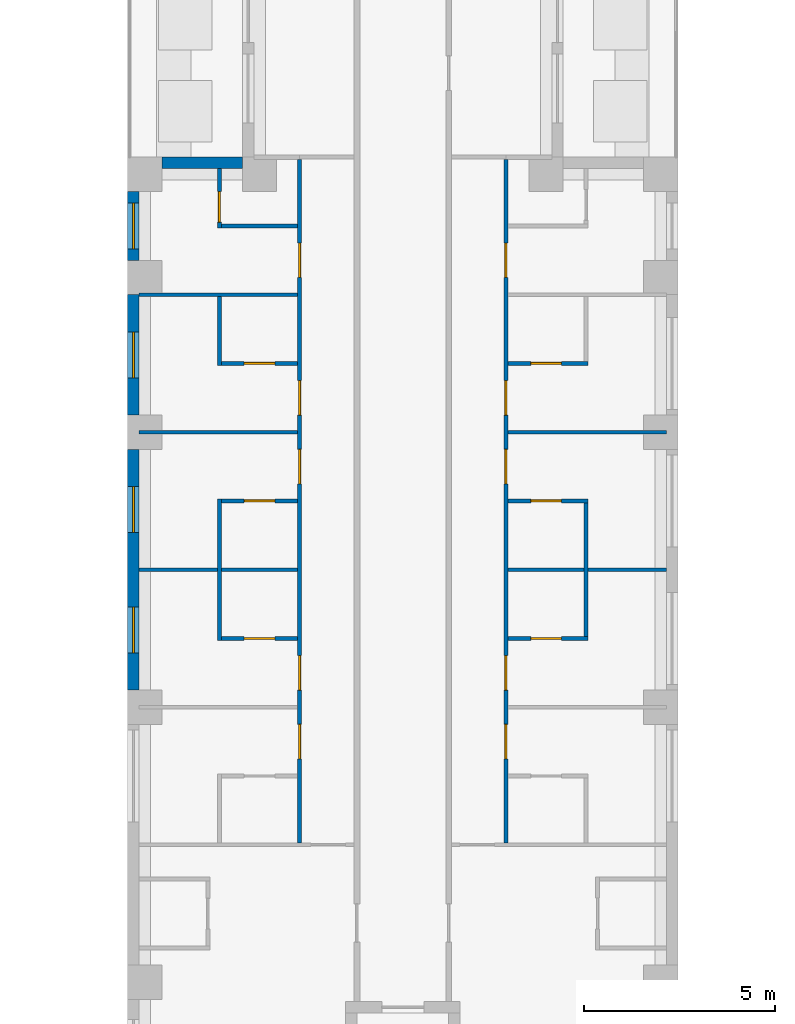
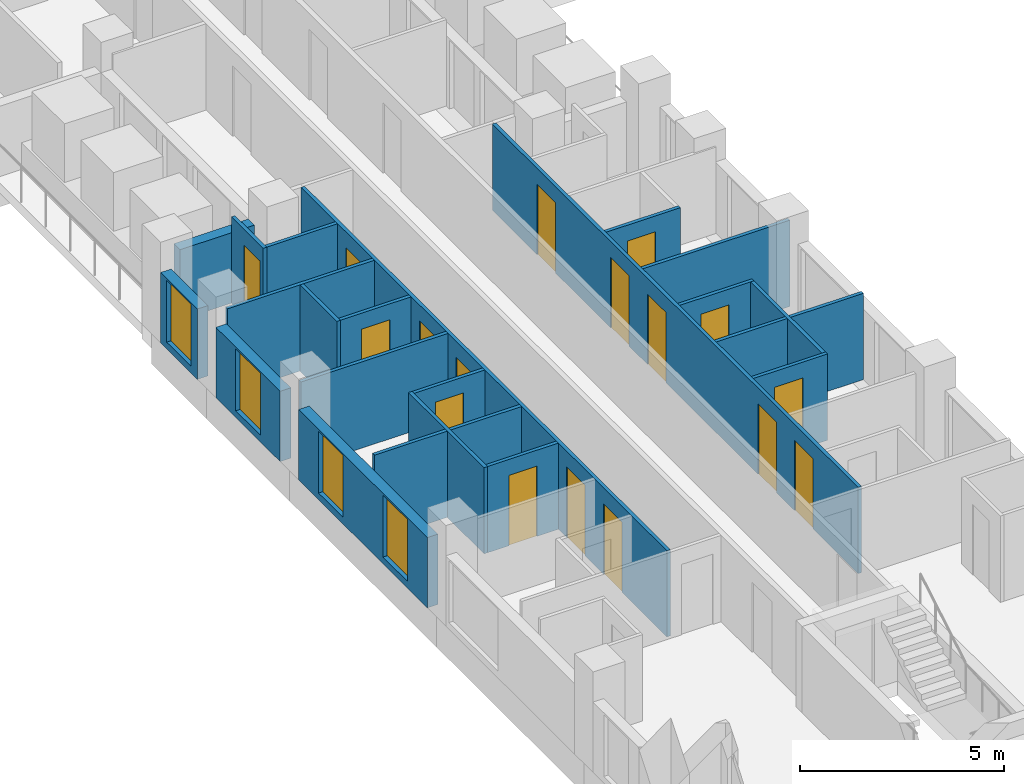
# One storey, part 4 of 14: 22 walls, 17 doors, 4 windows, 21 openings.
"""IFC4 building model written with IfcOpenShell, lengths in metres."""

from ifc_helpers import new_model, si_unit, direction, frame, frame_2d, origin, place, context, subcontext, project, spatial, rectangle, extrude, material, layer, layer_set, type_object, element, fill, save


model = new_model("IFC4")

# Units and contexts
model_context = context("Model", 3, precision=1e-05, world=origin(), true_north=direction((0.0, 1.0)))
body_context = subcontext(model_context, "Body", "Model", "MODEL_VIEW")
ifc_project = project(units=[si_unit("LENGTHUNIT", "METRE"), si_unit("AREAUNIT", "SQUARE_METRE"), si_unit("VOLUMEUNIT", "CUBIC_METRE"), si_unit("PLANEANGLEUNIT", "RADIAN"), si_unit("MASSUNIT", "GRAM", prefix="KILO")], contexts=[model_context])

# Site, building, storey
site_placement = place(None, origin())
site = spatial("IfcSite", under=ifc_project, at=site_placement, CompositionType="ELEMENT")
building_placement = place(site_placement, origin())
building = spatial("IfcBuilding", under=site, at=building_placement, Name="Fustian Cross Tower", CompositionType="ELEMENT")
storey_placement = place(building_placement, frame((0.0, 0.0, 93.89990234375)))
storey = spatial("IfcBuildingStorey", under=building, at=storey_placement, Name="L29", CompositionType="ELEMENT", Elevation=93.89990234375)

# Walls
ifc_material_1 = material(Name="Plasterboard on steel stud", Category="steel")
ifc_layer_1 = layer(ifc_material_1, 0.10009765625)
ifc_layer_set_1 = layer_set([ifc_layer_1], Name="Plasterboard on steel stud")
wall_type_1 = type_object("IfcWallType", Name="PARTITION 100 STUD", PredefinedType="PARTITIONING", material=ifc_layer_set_1)
for number, where, z_axis, x_axis, name in (
    (1, (-6.89990234375, -25.199951171875, 0.0), (0.0, 0.0, 1.0), (1.0, 0.0, 0.0), "Partition 19"),
    (2, (-6.89990234375, -21.60009765625, 0.0), (0.0, 0.0, 1.0), (1.0, 0.0, 0.0), "Partition 20"),
    (3, (-6.89990234375, -18.0, 0.0), (0.0, 0.0, 1.0), (1.0, 0.0, 0.0), "Partition 21"),
):
    element("IfcWall", number, at=place(storey_placement, frame(where, z_axis=z_axis, x_axis=x_axis)), inside=storey, type_object=wall_type_1, Name=name, PredefinedType="PARTITIONING", context=body_context, shape_type="SweptSolid", body=[
        extrude(rectangle(XDim=4.14990234375, YDim=0.10009765625, at=frame_2d((2.074951171875, 0.0))), origin(), (0.0, 0.0, 1.0), 2.5751953125),
    ])
wall_1_placement = place(storey_placement, frame((-4.800048828125, -27.050048828125, 0.0), z_axis=(0.0, 0.0, 1.0), x_axis=(0.0, 1.0, 0.0)))
element("IfcWall", 4, at=wall_1_placement, inside=storey, type_object=wall_type_1, Name="Partition 26", PredefinedType="PARTITIONING", context=body_context, shape_type="SweptSolid", body=[
    extrude(rectangle(XDim=3.699951171875, YDim=0.10009765625, at=frame_2d((1.85009765625, 0.0))), origin(), (0.0, 0.0, 1.0), 2.5751953125),
])

# Wall, opening, door
wall_2_placement = place(storey_placement, frame((-4.75, -27.0, 0.0), z_axis=(0.0, 0.0, 1.0), x_axis=(1.0, 0.0, 0.0)))
wall_2 = element("IfcWall", 5, at=wall_2_placement, inside=storey, type_object=wall_type_1, Name="Partition 27", PredefinedType="PARTITIONING", context=body_context, shape_type="SweptSolid", body=[
    extrude(rectangle(XDim=2.0, YDim=0.10009765625, at=frame_2d((1.0, 0.0))), origin(), (0.0, 0.0, 1.0), 2.5751953125),
])
opening_1_placement = place(wall_2_placement, frame((0.60009765625, 0.0, 0.0)))
opening_1 = element("IfcOpeningElement", 6, at=opening_1_placement, cuts=wall_2, Name="Opening D14062", PredefinedType="OPENING", context=body_context, shape_type="SweptSolid", body=[
    extrude(rectangle(XDim=0.800048828125, YDim=2.10009765625, at=frame_2d((0.39990234375, 1.050048828125))), frame((0.0, 0.06005859375, 0.0), z_axis=(0.0, -1.0, 0.0), x_axis=(1.0, 0.0, 0.0)), (0.0, 0.0, 1.0), 0.1201171875),
])
ifc_material_2 = material(Name="Painted timber", Category="wood")
door_type_1 = type_object("IfcDoorType", Name="SWING DOOR 800", OperationType="SINGLE_SWING_LEFT", PredefinedType="DOOR", material=ifc_material_2)
door_1_placement = place(opening_1_placement, origin())
door_1 = element("IfcDoor", 7, at=door_1_placement, inside=storey, type_object=door_type_1, Name="Door D14062", OperationType="SINGLE_SWING_LEFT", OverallHeight=2.10009765625, OverallWidth=0.800048828125, PredefinedType="DOOR", context=body_context, shape_type="SweptSolid", body=[
    extrude(rectangle(XDim=0.800048828125, YDim=2.10009765625, at=frame_2d((0.39990234375, 1.050048828125))), frame((0.0, 0.02490234375, 0.0), z_axis=(0.0, -1.0, 0.0), x_axis=(1.0, 0.0, 0.0)), (0.0, 0.0, 1.0), 0.050048828125),
])
fill(opening_1, door_1)

wall_3_placement = place(storey_placement, frame((-4.75, -23.39990234375, 0.0), z_axis=(0.0, 0.0, 1.0), x_axis=(1.0, 0.0, 0.0)))
wall_3 = element("IfcWall", 8, at=wall_3_placement, inside=storey, type_object=wall_type_1, Name="Partition 28", PredefinedType="PARTITIONING", context=body_context, shape_type="SweptSolid", body=[
    extrude(rectangle(XDim=2.0, YDim=0.10009765625, at=frame_2d((1.0, 0.0))), origin(), (0.0, 0.0, 1.0), 2.5751953125),
])
opening_2_placement = place(wall_3_placement, frame((0.60009765625, 0.0, 0.0)))
opening_2 = element("IfcOpeningElement", 9, at=opening_2_placement, cuts=wall_3, Name="Opening D14061", PredefinedType="OPENING", context=body_context, shape_type="SweptSolid", body=[
    extrude(rectangle(XDim=0.800048828125, YDim=2.10009765625, at=frame_2d((0.39990234375, 1.050048828125))), frame((0.0, 0.06005859375, 0.0), z_axis=(0.0, -1.0, 0.0), x_axis=(1.0, 0.0, 0.0)), (0.0, 0.0, 1.0), 0.1201171875),
])
door_2_placement = place(opening_2_placement, frame((0.800048828125, 0.0, 0.0), z_axis=(0.0, 0.0, 1.0), x_axis=(-1.0, 0.0, 0.0)))
door_2 = element("IfcDoor", 10, at=door_2_placement, inside=storey, type_object=door_type_1, Name="Door D14061", OperationType="SINGLE_SWING_RIGHT", OverallHeight=2.10009765625, OverallWidth=0.800048828125, PredefinedType="DOOR", context=body_context, shape_type="SweptSolid", body=[
    extrude(rectangle(XDim=0.800048828125, YDim=2.10009765625, at=frame_2d((0.39990234375, 1.050048828125))), frame((0.0, 0.02490234375, 0.0), z_axis=(0.0, -1.0, 0.0), x_axis=(1.0, 0.0, 0.0)), (0.0, 0.0, 1.0), 0.050048828125),
])
fill(opening_2, door_2)

# Wall
wall_4_placement = place(storey_placement, frame((-4.800048828125, -19.85009765625, 0.0), z_axis=(0.0, 0.0, 1.0), x_axis=(0.0, 1.0, 0.0)))
element("IfcWall", 11, at=wall_4_placement, inside=storey, type_object=wall_type_1, Name="Partition 29", PredefinedType="PARTITIONING", context=body_context, shape_type="SweptSolid", body=[
    extrude(rectangle(XDim=1.800048828125, YDim=0.10009765625, at=frame_2d((0.89990234375, 0.0))), origin(), (0.0, 0.0, 1.0), 2.5751953125),
])

# Wall, opening, door
wall_5_placement = place(storey_placement, frame((-4.75, -19.800048828125, 0.0), z_axis=(0.0, 0.0, 1.0), x_axis=(1.0, 0.0, 0.0)))
wall_5 = element("IfcWall", 12, at=wall_5_placement, inside=storey, type_object=wall_type_1, Name="Partition 30", PredefinedType="PARTITIONING", context=body_context, shape_type="SweptSolid", body=[
    extrude(rectangle(XDim=2.0, YDim=0.10009765625, at=frame_2d((1.0, 0.0))), origin(), (0.0, 0.0, 1.0), 2.5751953125),
])
opening_3_placement = place(wall_5_placement, frame((0.60009765625, 0.0, 0.0)))
opening_3 = element("IfcOpeningElement", 13, at=opening_3_placement, cuts=wall_5, Name="Opening D14060", PredefinedType="OPENING", context=body_context, shape_type="SweptSolid", body=[
    extrude(rectangle(XDim=0.800048828125, YDim=2.10009765625, at=frame_2d((0.39990234375, 1.050048828125))), frame((0.0, 0.06005859375, 0.0), z_axis=(0.0, -1.0, 0.0), x_axis=(1.0, 0.0, 0.0)), (0.0, 0.0, 1.0), 0.1201171875),
])
door_3_placement = place(opening_3_placement, origin())
door_3 = element("IfcDoor", 14, at=door_3_placement, inside=storey, type_object=door_type_1, Name="Door D14060", OperationType="SINGLE_SWING_LEFT", OverallHeight=2.10009765625, OverallWidth=0.800048828125, PredefinedType="DOOR", context=body_context, shape_type="SweptSolid", body=[
    extrude(rectangle(XDim=0.800048828125, YDim=2.10009765625, at=frame_2d((0.39990234375, 1.050048828125))), frame((0.0, 0.02490234375, 0.0), z_axis=(0.0, -1.0, 0.0), x_axis=(1.0, 0.0, 0.0)), (0.0, 0.0, 1.0), 0.050048828125),
])
fill(opening_3, door_3)

wall_6_placement = place(storey_placement, frame((-4.800048828125, -16.25, 0.0), z_axis=(0.0, 0.0, 1.0), x_axis=(0.0, 1.0, 0.0)))
wall_6 = element("IfcWall", 15, at=wall_6_placement, inside=storey, type_object=wall_type_1, Name="Partition 31", PredefinedType="PARTITIONING", context=body_context, shape_type="SweptSolid", body=[
    extrude(rectangle(XDim=1.550048828125, YDim=0.10009765625, at=frame_2d((0.77490234375, 0.0))), origin(), (0.0, 0.0, 1.0), 2.5751953125),
])
opening_4_placement = place(wall_6_placement, frame((0.14990234375, 0.0, 0.0)))
opening_4 = element("IfcOpeningElement", 16, at=opening_4_placement, cuts=wall_6, Name="Opening D14059", PredefinedType="OPENING", context=body_context, shape_type="SweptSolid", body=[
    extrude(rectangle(XDim=0.800048828125, YDim=2.10009765625, at=frame_2d((0.39990234375, 1.050048828125))), frame((0.0, 0.06005859375, 0.0), z_axis=(0.0, -1.0, 0.0), x_axis=(1.0, 0.0, 0.0)), (0.0, 0.0, 1.0), 0.1201171875),
])
door_4_placement = place(opening_4_placement, frame((0.800048828125, 0.0, 0.0), z_axis=(0.0, 0.0, 1.0), x_axis=(-1.0, 0.0, 0.0)))
door_4 = element("IfcDoor", 17, at=door_4_placement, inside=storey, type_object=door_type_1, Name="Door D14059", OperationType="SINGLE_SWING_RIGHT", OverallHeight=2.10009765625, OverallWidth=0.800048828125, PredefinedType="DOOR", context=body_context, shape_type="SweptSolid", body=[
    extrude(rectangle(XDim=0.800048828125, YDim=2.10009765625, at=frame_2d((0.39990234375, 1.050048828125))), frame((0.0, 0.02490234375, 0.0), z_axis=(0.0, -1.0, 0.0), x_axis=(1.0, 0.0, 0.0)), (0.0, 0.0, 1.0), 0.050048828125),
])
fill(opening_4, door_4)

# Wall
wall_7_placement = place(storey_placement, frame((-4.75, -16.199951171875, 0.0), z_axis=(0.0, 0.0, 1.0), x_axis=(1.0, 0.0, 0.0)))
element("IfcWall", 18, at=wall_7_placement, inside=storey, type_object=wall_type_1, Name="Partition 32", PredefinedType="PARTITIONING", context=body_context, shape_type="SweptSolid", body=[
    extrude(rectangle(XDim=2.0, YDim=0.10009765625, at=frame_2d((1.0, 0.0))), origin(), (0.0, 0.0, 1.0), 2.5751953125),
])

# Wall, openings, doors
wall_8_placement = place(storey_placement, frame((-2.699951171875, -32.35009765625, 0.0), z_axis=(0.0, 0.0, 1.0), x_axis=(0.0, 1.0, 0.0)))
wall_8 = element("IfcWall", 19, at=wall_8_placement, inside=storey, type_object=wall_type_1, Name="Partition 39", PredefinedType="PARTITIONING", context=body_context, shape_type="SweptSolid", body=[
    extrude(rectangle(XDim=17.8876953125, YDim=0.10009765625, at=frame_2d((8.94384765625, 0.0))), origin(), (0.0, 0.0, 1.0), 2.5751953125),
])
opening_5_placement = place(wall_8_placement, frame((2.199951171875, 0.0, 0.0)))
opening_5 = element("IfcOpeningElement", 20, at=opening_5_placement, cuts=wall_8, Name="Opening D14053", PredefinedType="OPENING", context=body_context, shape_type="SweptSolid", body=[
    extrude(rectangle(XDim=0.89990234375, YDim=2.10009765625, at=frame_2d((0.449951171875, 1.050048828125))), frame((0.0, 0.06005859375, 0.0), z_axis=(0.0, -1.0, 0.0), x_axis=(1.0, 0.0, 0.0)), (0.0, 0.0, 1.0), 0.1201171875),
])
opening_6_placement = place(wall_8_placement, frame((4.0, 0.0, 0.0)))
opening_6 = element("IfcOpeningElement", 21, at=opening_6_placement, cuts=wall_8, Name="Opening D14054", PredefinedType="OPENING", context=body_context, shape_type="SweptSolid", body=[
    extrude(rectangle(XDim=0.89990234375, YDim=2.10009765625, at=frame_2d((0.449951171875, 1.050048828125))), frame((0.0, 0.06005859375, 0.0), z_axis=(0.0, -1.0, 0.0), x_axis=(1.0, 0.0, 0.0)), (0.0, 0.0, 1.0), 0.1201171875),
])
opening_7_placement = place(wall_8_placement, frame((9.39990234375, 0.0, 0.0)))
opening_7 = element("IfcOpeningElement", 22, at=opening_7_placement, cuts=wall_8, Name="Opening D14055", PredefinedType="OPENING", context=body_context, shape_type="SweptSolid", body=[
    extrude(rectangle(XDim=0.89990234375, YDim=2.10009765625, at=frame_2d((0.449951171875, 1.050048828125))), frame((0.0, 0.06005859375, 0.0), z_axis=(0.0, -1.0, 0.0), x_axis=(1.0, 0.0, 0.0)), (0.0, 0.0, 1.0), 0.1201171875),
])
opening_8_placement = place(wall_8_placement, frame((11.199951171875, 0.0, 0.0)))
opening_8 = element("IfcOpeningElement", 23, at=opening_8_placement, cuts=wall_8, Name="Opening D14056", PredefinedType="OPENING", context=body_context, shape_type="SweptSolid", body=[
    extrude(rectangle(XDim=0.89990234375, YDim=2.10009765625, at=frame_2d((0.449951171875, 1.050048828125))), frame((0.0, 0.06005859375, 0.0), z_axis=(0.0, -1.0, 0.0), x_axis=(1.0, 0.0, 0.0)), (0.0, 0.0, 1.0), 0.1201171875),
])
opening_9_placement = place(wall_8_placement, frame((14.800048828125, 0.0, 0.0)))
opening_9 = element("IfcOpeningElement", 24, at=opening_9_placement, cuts=wall_8, Name="Opening D14057", PredefinedType="OPENING", context=body_context, shape_type="SweptSolid", body=[
    extrude(rectangle(XDim=0.89990234375, YDim=2.10009765625, at=frame_2d((0.449951171875, 1.050048828125))), frame((0.0, 0.06005859375, 0.0), z_axis=(0.0, -1.0, 0.0), x_axis=(1.0, 0.0, 0.0)), (0.0, 0.0, 1.0), 0.1201171875),
])
ifc_material_3 = material(Name="Painted timber", Category="wood")
door_type_2 = type_object("IfcDoorType", Name="SWING DOOR 900", OperationType="SINGLE_SWING_LEFT", PredefinedType="DOOR", material=ifc_material_3)
door_5_placement = place(opening_5_placement, origin())
door_5 = element("IfcDoor", 25, at=door_5_placement, inside=storey, type_object=door_type_2, Name="Door D14053", OperationType="SINGLE_SWING_LEFT", OverallHeight=2.10009765625, OverallWidth=0.89990234375, PredefinedType="DOOR", context=body_context, shape_type="SweptSolid", body=[
    extrude(rectangle(XDim=0.89990234375, YDim=2.10009765625, at=frame_2d((0.449951171875, 1.050048828125))), frame((0.0, 0.02490234375, 0.0), z_axis=(0.0, -1.0, 0.0), x_axis=(1.0, 0.0, 0.0)), (0.0, 0.0, 1.0), 0.050048828125),
])
fill(opening_5, door_5)
door_6_placement = place(opening_6_placement, origin())
door_6 = element("IfcDoor", 26, at=door_6_placement, inside=storey, type_object=door_type_2, Name="Door D14054", OperationType="SINGLE_SWING_LEFT", OverallHeight=2.10009765625, OverallWidth=0.89990234375, PredefinedType="DOOR", context=body_context, shape_type="SweptSolid", body=[
    extrude(rectangle(XDim=0.89990234375, YDim=2.10009765625, at=frame_2d((0.449951171875, 1.050048828125))), frame((0.0, 0.02490234375, 0.0), z_axis=(0.0, -1.0, 0.0), x_axis=(1.0, 0.0, 0.0)), (0.0, 0.0, 1.0), 0.050048828125),
])
fill(opening_6, door_6)
door_7_placement = place(opening_7_placement, origin())
door_7 = element("IfcDoor", 27, at=door_7_placement, inside=storey, type_object=door_type_2, Name="Door D14055", OperationType="SINGLE_SWING_LEFT", OverallHeight=2.10009765625, OverallWidth=0.89990234375, PredefinedType="DOOR", context=body_context, shape_type="SweptSolid", body=[
    extrude(rectangle(XDim=0.89990234375, YDim=2.10009765625, at=frame_2d((0.449951171875, 1.050048828125))), frame((0.0, 0.02490234375, 0.0), z_axis=(0.0, -1.0, 0.0), x_axis=(1.0, 0.0, 0.0)), (0.0, 0.0, 1.0), 0.050048828125),
])
fill(opening_7, door_7)
door_8_placement = place(opening_8_placement, origin())
door_8 = element("IfcDoor", 28, at=door_8_placement, inside=storey, type_object=door_type_2, Name="Door D14056", OperationType="SINGLE_SWING_LEFT", OverallHeight=2.10009765625, OverallWidth=0.89990234375, PredefinedType="DOOR", context=body_context, shape_type="SweptSolid", body=[
    extrude(rectangle(XDim=0.89990234375, YDim=2.10009765625, at=frame_2d((0.449951171875, 1.050048828125))), frame((0.0, 0.02490234375, 0.0), z_axis=(0.0, -1.0, 0.0), x_axis=(1.0, 0.0, 0.0)), (0.0, 0.0, 1.0), 0.050048828125),
])
fill(opening_8, door_8)
door_9_placement = place(opening_9_placement, origin())
door_9 = element("IfcDoor", 29, at=door_9_placement, inside=storey, type_object=door_type_2, Name="Door D14057", OperationType="SINGLE_SWING_LEFT", OverallHeight=2.10009765625, OverallWidth=0.89990234375, PredefinedType="DOOR", context=body_context, shape_type="SweptSolid", body=[
    extrude(rectangle(XDim=0.89990234375, YDim=2.10009765625, at=frame_2d((0.449951171875, 1.050048828125))), frame((0.0, 0.02490234375, 0.0), z_axis=(0.0, -1.0, 0.0), x_axis=(1.0, 0.0, 0.0)), (0.0, 0.0, 1.0), 0.050048828125),
])
fill(opening_9, door_9)

wall_9_placement = place(storey_placement, frame((2.699951171875, -32.35009765625, 0.0), z_axis=(0.0, 0.0, 1.0), x_axis=(0.0, 1.0, 0.0)))
wall_9 = element("IfcWall", 30, at=wall_9_placement, inside=storey, type_object=wall_type_1, Name="Partition 56", PredefinedType="PARTITIONING", context=body_context, shape_type="SweptSolid", body=[
    extrude(rectangle(XDim=17.8876953125, YDim=0.10009765625, at=frame_2d((8.94384765625, 0.0))), origin(), (0.0, 0.0, 1.0), 2.5751953125),
])
opening_10_placement = place(wall_9_placement, frame((2.199951171875, 0.0, 0.0)))
opening_10 = element("IfcOpeningElement", 31, at=opening_10_placement, cuts=wall_9, Name="Opening D14040", PredefinedType="OPENING", context=body_context, shape_type="SweptSolid", body=[
    extrude(rectangle(XDim=0.89990234375, YDim=2.10009765625, at=frame_2d((0.449951171875, 1.050048828125))), frame((0.0, 0.06005859375, 0.0), z_axis=(0.0, -1.0, 0.0), x_axis=(1.0, 0.0, 0.0)), (0.0, 0.0, 1.0), 0.1201171875),
])
opening_11_placement = place(wall_9_placement, frame((4.0, 0.0, 0.0)))
opening_11 = element("IfcOpeningElement", 32, at=opening_11_placement, cuts=wall_9, Name="Opening D14041", PredefinedType="OPENING", context=body_context, shape_type="SweptSolid", body=[
    extrude(rectangle(XDim=0.89990234375, YDim=2.10009765625, at=frame_2d((0.449951171875, 1.050048828125))), frame((0.0, 0.06005859375, 0.0), z_axis=(0.0, -1.0, 0.0), x_axis=(1.0, 0.0, 0.0)), (0.0, 0.0, 1.0), 0.1201171875),
])
opening_12_placement = place(wall_9_placement, frame((9.39990234375, 0.0, 0.0)))
opening_12 = element("IfcOpeningElement", 33, at=opening_12_placement, cuts=wall_9, Name="Opening D14042", PredefinedType="OPENING", context=body_context, shape_type="SweptSolid", body=[
    extrude(rectangle(XDim=0.89990234375, YDim=2.10009765625, at=frame_2d((0.449951171875, 1.050048828125))), frame((0.0, 0.06005859375, 0.0), z_axis=(0.0, -1.0, 0.0), x_axis=(1.0, 0.0, 0.0)), (0.0, 0.0, 1.0), 0.1201171875),
])
opening_13_placement = place(wall_9_placement, frame((11.199951171875, 0.0, 0.0)))
opening_13 = element("IfcOpeningElement", 34, at=opening_13_placement, cuts=wall_9, Name="Opening D14043", PredefinedType="OPENING", context=body_context, shape_type="SweptSolid", body=[
    extrude(rectangle(XDim=0.89990234375, YDim=2.10009765625, at=frame_2d((0.449951171875, 1.050048828125))), frame((0.0, 0.06005859375, 0.0), z_axis=(0.0, -1.0, 0.0), x_axis=(1.0, 0.0, 0.0)), (0.0, 0.0, 1.0), 0.1201171875),
])
opening_14_placement = place(wall_9_placement, frame((14.800048828125, 0.0, 0.0)))
opening_14 = element("IfcOpeningElement", 35, at=opening_14_placement, cuts=wall_9, Name="Opening D14044", PredefinedType="OPENING", context=body_context, shape_type="SweptSolid", body=[
    extrude(rectangle(XDim=0.89990234375, YDim=2.10009765625, at=frame_2d((0.449951171875, 1.050048828125))), frame((0.0, 0.06005859375, 0.0), z_axis=(0.0, -1.0, 0.0), x_axis=(1.0, 0.0, 0.0)), (0.0, 0.0, 1.0), 0.1201171875),
])
door_10_placement = place(opening_10_placement, frame((0.89990234375, 0.0, 0.0), z_axis=(0.0, 0.0, 1.0), x_axis=(-1.0, 0.0, 0.0)))
door_10 = element("IfcDoor", 36, at=door_10_placement, inside=storey, type_object=door_type_2, Name="Door D14040", OperationType="SINGLE_SWING_RIGHT", OverallHeight=2.10009765625, OverallWidth=0.89990234375, PredefinedType="DOOR", context=body_context, shape_type="SweptSolid", body=[
    extrude(rectangle(XDim=0.89990234375, YDim=2.10009765625, at=frame_2d((0.449951171875, 1.050048828125))), frame((0.0, 0.02490234375, 0.0), z_axis=(0.0, -1.0, 0.0), x_axis=(1.0, 0.0, 0.0)), (0.0, 0.0, 1.0), 0.050048828125),
])
fill(opening_10, door_10)
door_11_placement = place(opening_11_placement, frame((0.89990234375, 0.0, 0.0), z_axis=(0.0, 0.0, 1.0), x_axis=(-1.0, 0.0, 0.0)))
door_11 = element("IfcDoor", 37, at=door_11_placement, inside=storey, type_object=door_type_2, Name="Door D14041", OperationType="SINGLE_SWING_RIGHT", OverallHeight=2.10009765625, OverallWidth=0.89990234375, PredefinedType="DOOR", context=body_context, shape_type="SweptSolid", body=[
    extrude(rectangle(XDim=0.89990234375, YDim=2.10009765625, at=frame_2d((0.449951171875, 1.050048828125))), frame((0.0, 0.02490234375, 0.0), z_axis=(0.0, -1.0, 0.0), x_axis=(1.0, 0.0, 0.0)), (0.0, 0.0, 1.0), 0.050048828125),
])
fill(opening_11, door_11)
door_12_placement = place(opening_12_placement, frame((0.89990234375, 0.0, 0.0), z_axis=(0.0, 0.0, 1.0), x_axis=(-1.0, 0.0, 0.0)))
door_12 = element("IfcDoor", 38, at=door_12_placement, inside=storey, type_object=door_type_2, Name="Door D14042", OperationType="SINGLE_SWING_RIGHT", OverallHeight=2.10009765625, OverallWidth=0.89990234375, PredefinedType="DOOR", context=body_context, shape_type="SweptSolid", body=[
    extrude(rectangle(XDim=0.89990234375, YDim=2.10009765625, at=frame_2d((0.449951171875, 1.050048828125))), frame((0.0, 0.02490234375, 0.0), z_axis=(0.0, -1.0, 0.0), x_axis=(1.0, 0.0, 0.0)), (0.0, 0.0, 1.0), 0.050048828125),
])
fill(opening_12, door_12)
door_13_placement = place(opening_13_placement, frame((0.89990234375, 0.0, 0.0), z_axis=(0.0, 0.0, 1.0), x_axis=(-1.0, 0.0, 0.0)))
door_13 = element("IfcDoor", 39, at=door_13_placement, inside=storey, type_object=door_type_2, Name="Door D14043", OperationType="SINGLE_SWING_RIGHT", OverallHeight=2.10009765625, OverallWidth=0.89990234375, PredefinedType="DOOR", context=body_context, shape_type="SweptSolid", body=[
    extrude(rectangle(XDim=0.89990234375, YDim=2.10009765625, at=frame_2d((0.449951171875, 1.050048828125))), frame((0.0, 0.02490234375, 0.0), z_axis=(0.0, -1.0, 0.0), x_axis=(1.0, 0.0, 0.0)), (0.0, 0.0, 1.0), 0.050048828125),
])
fill(opening_13, door_13)
door_14_placement = place(opening_14_placement, frame((0.89990234375, 0.0, 0.0), z_axis=(0.0, 0.0, 1.0), x_axis=(-1.0, 0.0, 0.0)))
door_14 = element("IfcDoor", 40, at=door_14_placement, inside=storey, type_object=door_type_2, Name="Door D14044", OperationType="SINGLE_SWING_RIGHT", OverallHeight=2.10009765625, OverallWidth=0.89990234375, PredefinedType="DOOR", context=body_context, shape_type="SweptSolid", body=[
    extrude(rectangle(XDim=0.89990234375, YDim=2.10009765625, at=frame_2d((0.449951171875, 1.050048828125))), frame((0.0, 0.02490234375, 0.0), z_axis=(0.0, -1.0, 0.0), x_axis=(1.0, 0.0, 0.0)), (0.0, 0.0, 1.0), 0.050048828125),
])
fill(opening_14, door_14)

# Wall, opening, door
wall_10_placement = place(storey_placement, frame((2.75, -27.0, 0.0), z_axis=(0.0, 0.0, 1.0), x_axis=(1.0, 0.0, 0.0)))
wall_10 = element("IfcWall", 41, at=wall_10_placement, inside=storey, type_object=wall_type_1, Name="Partition 59", PredefinedType="PARTITIONING", context=body_context, shape_type="SweptSolid", body=[
    extrude(rectangle(XDim=2.10009765625, YDim=0.10009765625, at=frame_2d((1.050048828125, 0.0))), origin(), (0.0, 0.0, 1.0), 2.5751953125),
])
opening_15_placement = place(wall_10_placement, frame((0.60009765625, 0.0, 0.0)))
opening_15 = element("IfcOpeningElement", 42, at=opening_15_placement, cuts=wall_10, Name="Opening D14048", PredefinedType="OPENING", context=body_context, shape_type="SweptSolid", body=[
    extrude(rectangle(XDim=0.800048828125, YDim=2.10009765625, at=frame_2d((0.39990234375, 1.050048828125))), frame((0.0, 0.06005859375, 0.0), z_axis=(0.0, -1.0, 0.0), x_axis=(1.0, 0.0, 0.0)), (0.0, 0.0, 1.0), 0.1201171875),
])
door_15_placement = place(opening_15_placement, origin())
door_15 = element("IfcDoor", 43, at=door_15_placement, inside=storey, type_object=door_type_1, Name="Door D14048", OperationType="SINGLE_SWING_LEFT", OverallHeight=2.10009765625, OverallWidth=0.800048828125, PredefinedType="DOOR", context=body_context, shape_type="SweptSolid", body=[
    extrude(rectangle(XDim=0.800048828125, YDim=2.10009765625, at=frame_2d((0.39990234375, 1.050048828125))), frame((0.0, 0.02490234375, 0.0), z_axis=(0.0, -1.0, 0.0), x_axis=(1.0, 0.0, 0.0)), (0.0, 0.0, 1.0), 0.050048828125),
])
fill(opening_15, door_15)

# Wall
wall_11_placement = place(storey_placement, frame((2.75, -25.199951171875, 0.0), z_axis=(0.0, 0.0, 1.0), x_axis=(1.0, 0.0, 0.0)))
element("IfcWall", 44, at=wall_11_placement, inside=storey, type_object=wall_type_1, Name="Partition 60", PredefinedType="PARTITIONING", context=body_context, shape_type="SweptSolid", body=[
    extrude(rectangle(XDim=4.14990234375, YDim=0.10009765625, at=frame_2d((2.074951171875, 0.0))), origin(), (0.0, 0.0, 1.0), 2.5751953125),
])

# Wall, opening, door
wall_12_placement = place(storey_placement, frame((2.75, -23.39990234375, 0.0), z_axis=(0.0, 0.0, 1.0), x_axis=(1.0, 0.0, 0.0)))
wall_12 = element("IfcWall", 45, at=wall_12_placement, inside=storey, type_object=wall_type_1, Name="Partition 61", PredefinedType="PARTITIONING", context=body_context, shape_type="SweptSolid", body=[
    extrude(rectangle(XDim=2.10009765625, YDim=0.10009765625, at=frame_2d((1.050048828125, 0.0))), origin(), (0.0, 0.0, 1.0), 2.5751953125),
])
opening_16_placement = place(wall_12_placement, frame((0.60009765625, 0.0, 0.0)))
opening_16 = element("IfcOpeningElement", 46, at=opening_16_placement, cuts=wall_12, Name="Opening D14047", PredefinedType="OPENING", context=body_context, shape_type="SweptSolid", body=[
    extrude(rectangle(XDim=0.800048828125, YDim=2.10009765625, at=frame_2d((0.39990234375, 1.050048828125))), frame((0.0, 0.06005859375, 0.0), z_axis=(0.0, -1.0, 0.0), x_axis=(1.0, 0.0, 0.0)), (0.0, 0.0, 1.0), 0.1201171875),
])
door_16_placement = place(opening_16_placement, frame((0.800048828125, 0.0, 0.0), z_axis=(0.0, 0.0, 1.0), x_axis=(-1.0, 0.0, 0.0)))
door_16 = element("IfcDoor", 47, at=door_16_placement, inside=storey, type_object=door_type_1, Name="Door D14047", OperationType="SINGLE_SWING_RIGHT", OverallHeight=2.10009765625, OverallWidth=0.800048828125, PredefinedType="DOOR", context=body_context, shape_type="SweptSolid", body=[
    extrude(rectangle(XDim=0.800048828125, YDim=2.10009765625, at=frame_2d((0.39990234375, 1.050048828125))), frame((0.0, 0.02490234375, 0.0), z_axis=(0.0, -1.0, 0.0), x_axis=(1.0, 0.0, 0.0)), (0.0, 0.0, 1.0), 0.050048828125),
])
fill(opening_16, door_16)

# Wall
wall_13_placement = place(storey_placement, frame((2.75, -21.60009765625, 0.0), z_axis=(0.0, 0.0, 1.0), x_axis=(1.0, 0.0, 0.0)))
element("IfcWall", 48, at=wall_13_placement, inside=storey, type_object=wall_type_1, Name="Partition 62", PredefinedType="PARTITIONING", context=body_context, shape_type="SweptSolid", body=[
    extrude(rectangle(XDim=4.14990234375, YDim=0.10009765625, at=frame_2d((2.074951171875, 0.0))), origin(), (0.0, 0.0, 1.0), 2.5751953125),
])

# Wall, opening, door
wall_14_placement = place(storey_placement, frame((2.75, -19.800048828125, 0.0), z_axis=(0.0, 0.0, 1.0), x_axis=(1.0, 0.0, 0.0)))
wall_14 = element("IfcWall", 49, at=wall_14_placement, inside=storey, type_object=wall_type_1, Name="Partition 63", PredefinedType="PARTITIONING", context=body_context, shape_type="SweptSolid", body=[
    extrude(rectangle(XDim=2.10009765625, YDim=0.10009765625, at=frame_2d((1.050048828125, 0.0))), origin(), (0.0, 0.0, 1.0), 2.5751953125),
])
opening_17_placement = place(wall_14_placement, frame((0.60009765625, 0.0, 0.0)))
opening_17 = element("IfcOpeningElement", 50, at=opening_17_placement, cuts=wall_14, Name="Opening D14046", PredefinedType="OPENING", context=body_context, shape_type="SweptSolid", body=[
    extrude(rectangle(XDim=0.800048828125, YDim=2.10009765625, at=frame_2d((0.39990234375, 1.050048828125))), frame((0.0, 0.06005859375, 0.0), z_axis=(0.0, -1.0, 0.0), x_axis=(1.0, 0.0, 0.0)), (0.0, 0.0, 1.0), 0.1201171875),
])
door_17_placement = place(opening_17_placement, origin())
door_17 = element("IfcDoor", 51, at=door_17_placement, inside=storey, type_object=door_type_1, Name="Door D14046", OperationType="SINGLE_SWING_LEFT", OverallHeight=2.10009765625, OverallWidth=0.800048828125, PredefinedType="DOOR", context=body_context, shape_type="SweptSolid", body=[
    extrude(rectangle(XDim=0.800048828125, YDim=2.10009765625, at=frame_2d((0.39990234375, 1.050048828125))), frame((0.0, 0.02490234375, 0.0), z_axis=(0.0, -1.0, 0.0), x_axis=(1.0, 0.0, 0.0)), (0.0, 0.0, 1.0), 0.050048828125),
])
fill(opening_17, door_17)

# Walls
wall_15_placement = place(storey_placement, frame((4.800048828125, -26.949951171875, 0.0), z_axis=(0.0, 0.0, 1.0), x_axis=(0.0, 1.0, 0.0)))
element("IfcWall", 52, at=wall_15_placement, inside=storey, type_object=wall_type_1, Name="Partition 70", PredefinedType="PARTITIONING", context=body_context, shape_type="SweptSolid", body=[
    extrude(rectangle(XDim=3.5, YDim=0.10009765625, at=frame_2d((1.75, 0.0))), origin(), (0.0, 0.0, 1.0), 2.5751953125),
])
ifc_material_4 = material(Name="Dark aluminium cladding on insulated backing wall", Category="aluminium")
ifc_layer_2 = layer(ifc_material_4, 0.300048828125)
ifc_layer_set_2 = layer_set([ifc_layer_2], Name="Dark aluminium cladding on insulated backing wall")
wall_type_2 = type_object("IfcWallType", Name="XW1 EXTERNAL WALL 300", PredefinedType="SOLIDWALL", material=ifc_layer_set_2)
wall_16_placement = place(storey_placement, frame((-4.199951171875, -14.550048828125, 0.0), z_axis=(0.0, 0.0, 1.0), x_axis=(-1.0, 0.0, 0.0)))
element("IfcWall", 53, at=wall_16_placement, inside=storey, type_object=wall_type_2, Name="External wall", PredefinedType="SOLIDWALL", context=body_context, shape_type="SweptSolid", body=[
    extrude(rectangle(XDim=2.10009765625, YDim=0.300048828125, at=frame_2d((1.050048828125, 0.0))), origin(), (0.0, 0.0, 1.0), 2.10009765625),
])

# Wall, opening, window
wall_17_placement = place(storey_placement, frame((-7.050048828125, -15.300048828125, 0.0), z_axis=(0.0, 0.0, 1.0), x_axis=(0.0, -1.0, 0.0)))
wall_17 = element("IfcWall", 54, at=wall_17_placement, inside=storey, type_object=wall_type_2, Name="External wall", PredefinedType="SOLIDWALL", context=body_context, shape_type="SweptSolid", body=[
    extrude(rectangle(XDim=1.800048828125, YDim=0.300048828125, at=frame_2d((0.89990234375, 0.0))), origin(), (0.0, 0.0, 1.0), 2.10009765625),
])
opening_18_placement = place(wall_17_placement, frame((0.300048828125, 0.0, 0.199951171875)))
opening_18 = element("IfcOpeningElement", 55, at=opening_18_placement, cuts=wall_17, Name="Opening WN3", PredefinedType="OPENING", context=body_context, shape_type="SweptSolid", body=[
    extrude(rectangle(XDim=1.199951171875, YDim=1.85009765625, at=frame_2d((0.60009765625, 0.925048828125))), frame((0.0, 0.159912109375, 0.0), z_axis=(0.0, -1.0, 0.0), x_axis=(1.0, 0.0, 0.0)), (0.0, 0.0, 1.0), 0.320068359375),
])
ifc_material_5 = material(Name="Dark anodised aluminium and double glazing", Category="aluminium")
window_type = type_object("IfcWindowType", Name="WN3 WINDOW 1200X1850", PartitioningType="SINGLE_PANEL", PredefinedType="WINDOW", material=ifc_material_5)
window_1_placement = place(opening_18_placement, origin())
window_1 = element("IfcWindow", 56, at=window_1_placement, inside=storey, type_object=window_type, Name="Window", OverallHeight=1.85009765625, OverallWidth=1.199951171875, PartitioningType="SINGLE_PANEL", PredefinedType="WINDOW", context=body_context, shape_type="SweptSolid", body=[
    extrude(rectangle(XDim=1.199951171875, YDim=1.85009765625, at=frame_2d((0.60009765625, 0.925048828125))), frame((0.0, 0.030029296875, 0.0), z_axis=(0.0, -1.0, 0.0), x_axis=(1.0, 0.0, 0.0)), (0.0, 0.0, 1.0), 0.06005859375),
])
fill(opening_18, window_1)

wall_18_placement = place(storey_placement, frame((-7.050048828125, -18.0, 0.0), z_axis=(0.0, 0.0, 1.0), x_axis=(0.0, -1.0, 0.0)))
wall_18 = element("IfcWall", 57, at=wall_18_placement, inside=storey, type_object=wall_type_2, Name="External wall", PredefinedType="SOLIDWALL", context=body_context, shape_type="SweptSolid", body=[
    extrude(rectangle(XDim=3.14990234375, YDim=0.300048828125, at=frame_2d((1.574951171875, 0.0))), origin(), (0.0, 0.0, 1.0), 2.10009765625),
])
opening_19_placement = place(wall_18_placement, frame((0.97509765625, 0.0, 0.199951171875)))
opening_19 = element("IfcOpeningElement", 58, at=opening_19_placement, cuts=wall_18, Name="Opening WN3", PredefinedType="OPENING", context=body_context, shape_type="SweptSolid", body=[
    extrude(rectangle(XDim=1.199951171875, YDim=1.85009765625, at=frame_2d((0.60009765625, 0.925048828125))), frame((0.0, 0.159912109375, 0.0), z_axis=(0.0, -1.0, 0.0), x_axis=(1.0, 0.0, 0.0)), (0.0, 0.0, 1.0), 0.320068359375),
])
window_2_placement = place(opening_19_placement, origin())
window_2 = element("IfcWindow", 59, at=window_2_placement, inside=storey, type_object=window_type, Name="Window", OverallHeight=1.85009765625, OverallWidth=1.199951171875, PartitioningType="SINGLE_PANEL", PredefinedType="WINDOW", context=body_context, shape_type="SweptSolid", body=[
    extrude(rectangle(XDim=1.199951171875, YDim=1.85009765625, at=frame_2d((0.60009765625, 0.925048828125))), frame((0.0, 0.030029296875, 0.0), z_axis=(0.0, -1.0, 0.0), x_axis=(1.0, 0.0, 0.0)), (0.0, 0.0, 1.0), 0.06005859375),
])
fill(opening_19, window_2)

# Wall, openings, windows
wall_19_placement = place(storey_placement, frame((-7.050048828125, -22.050048828125, 0.0), z_axis=(0.0, 0.0, 1.0), x_axis=(0.0, -1.0, 0.0)))
wall_19 = element("IfcWall", 60, at=wall_19_placement, inside=storey, type_object=wall_type_2, Name="External wall", PredefinedType="SOLIDWALL", context=body_context, shape_type="SweptSolid", body=[
    extrude(rectangle(XDim=6.300048828125, YDim=0.300048828125, at=frame_2d((3.14990234375, 0.0))), origin(), (0.0, 0.0, 1.0), 2.10009765625),
])
opening_20_placement = place(wall_19_placement, frame((0.97509765625, 0.0, 0.199951171875)))
opening_20 = element("IfcOpeningElement", 61, at=opening_20_placement, cuts=wall_19, Name="Opening WN3", PredefinedType="OPENING", context=body_context, shape_type="SweptSolid", body=[
    extrude(rectangle(XDim=1.199951171875, YDim=1.85009765625, at=frame_2d((0.60009765625, 0.925048828125))), frame((0.0, 0.159912109375, 0.0), z_axis=(0.0, -1.0, 0.0), x_axis=(1.0, 0.0, 0.0)), (0.0, 0.0, 1.0), 0.320068359375),
])
opening_21_placement = place(wall_19_placement, frame((4.125, 0.0, 0.199951171875)))
opening_21 = element("IfcOpeningElement", 62, at=opening_21_placement, cuts=wall_19, Name="Opening WN3", PredefinedType="OPENING", context=body_context, shape_type="SweptSolid", body=[
    extrude(rectangle(XDim=1.199951171875, YDim=1.85009765625, at=frame_2d((0.60009765625, 0.925048828125))), frame((0.0, 0.159912109375, 0.0), z_axis=(0.0, -1.0, 0.0), x_axis=(1.0, 0.0, 0.0)), (0.0, 0.0, 1.0), 0.320068359375),
])
window_3_placement = place(opening_20_placement, origin())
window_3 = element("IfcWindow", 63, at=window_3_placement, inside=storey, type_object=window_type, Name="Window", OverallHeight=1.85009765625, OverallWidth=1.199951171875, PartitioningType="SINGLE_PANEL", PredefinedType="WINDOW", context=body_context, shape_type="SweptSolid", body=[
    extrude(rectangle(XDim=1.199951171875, YDim=1.85009765625, at=frame_2d((0.60009765625, 0.925048828125))), frame((0.0, 0.030029296875, 0.0), z_axis=(0.0, -1.0, 0.0), x_axis=(1.0, 0.0, 0.0)), (0.0, 0.0, 1.0), 0.06005859375),
])
fill(opening_20, window_3)
window_4_placement = place(opening_21_placement, origin())
window_4 = element("IfcWindow", 64, at=window_4_placement, inside=storey, type_object=window_type, Name="Window", OverallHeight=1.85009765625, OverallWidth=1.199951171875, PartitioningType="SINGLE_PANEL", PredefinedType="WINDOW", context=body_context, shape_type="SweptSolid", body=[
    extrude(rectangle(XDim=1.199951171875, YDim=1.85009765625, at=frame_2d((0.60009765625, 0.925048828125))), frame((0.0, 0.030029296875, 0.0), z_axis=(0.0, -1.0, 0.0), x_axis=(1.0, 0.0, 0.0)), (0.0, 0.0, 1.0), 0.06005859375),
])
fill(opening_21, window_4)

save(model, "model.ifc")
